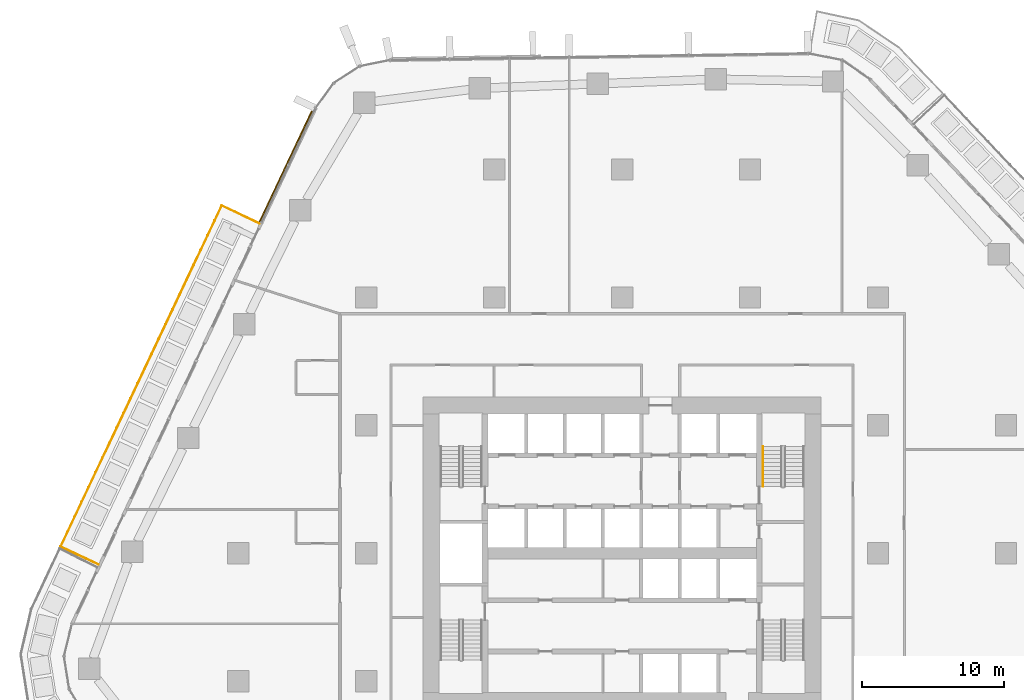
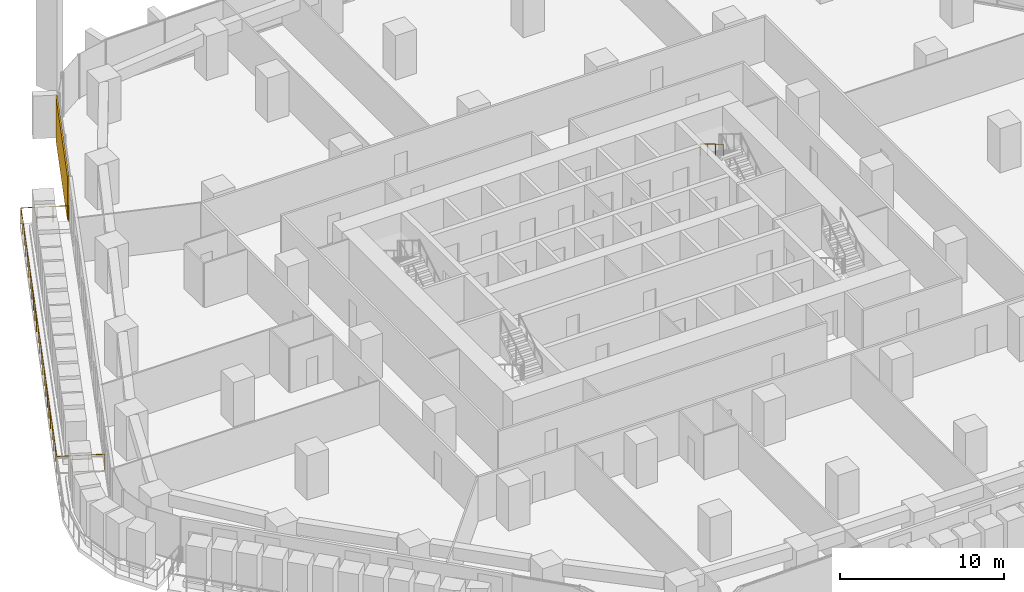
# One storey, part 23 of 25: 2 railings, 1 covering, 1 element without a shape of its own.
"""IFC4 building model written with IfcOpenShell, lengths in metres."""

from ifc_helpers import new_model, si_unit, direction, frame, origin, origin_2d, place, context, subcontext, project, spatial, rectangle, circle, extrude, material, layer, layer_set, type_object, element, aggregate, save


model = new_model("IFC4")

# Units and contexts
model_context = context("Model", 3, precision=1e-05, world=origin(), true_north=direction((0.0, 1.0)))
body_context = subcontext(model_context, "Body", "Model", "MODEL_VIEW")
ifc_project = project(units=[si_unit("LENGTHUNIT", "METRE"), si_unit("AREAUNIT", "SQUARE_METRE"), si_unit("VOLUMEUNIT", "CUBIC_METRE"), si_unit("PLANEANGLEUNIT", "RADIAN"), si_unit("MASSUNIT", "GRAM", prefix="KILO")], contexts=[model_context])

# Site, building, storey
site_placement = place(None, origin())
site = spatial("IfcSite", under=ifc_project, at=site_placement, CompositionType="ELEMENT")
building_placement = place(site_placement, origin())
building = spatial("IfcBuilding", under=site, at=building_placement, Name="Dongbaek Canopy Tower", CompositionType="ELEMENT")
storey_placement = place(building_placement, frame((0.0, 0.0, 77.300048828125)))
storey = spatial("IfcBuildingStorey", under=building, at=storey_placement, Name="L15", CompositionType="ELEMENT", Elevation=77.300048828125)

# Railing
ifc_material_1 = material(Name="Stainless steel", Category="steel")
railing_type_1 = type_object("IfcRailingType", Name="Balcony balustrade 1200", PredefinedType="BALUSTRADE", material=ifc_material_1)
railing_1_placement = place(storey_placement, frame((-25.505615234375, 23.1962890625, 0.0)))
element("IfcRailing", 1, at=railing_1_placement, inside=storey, type_object=railing_type_1, Name="Balcony guard L15 2", PredefinedType="BALUSTRADE", context=body_context, shape_type="SweptSolid", body=[
    extrude(circle(Radius=0.02392578125, at=origin_2d()), frame((0.0, 0.0, 1.17578125), z_axis=(-0.904170251662, 0.427172279073, 0.0), x_axis=(-0.427172279073, -0.904170251662, 0.0)), (0.0, 0.0, 1.0), 2.93994140625),
    extrude(circle(Radius=0.02392578125, at=origin_2d()), frame((-2.658203125, 1.255859375, 1.17578125), z_axis=(-0.427154080791, -0.904178849157, 0.0), x_axis=(0.904178849157, -0.427154080791, 0.0)), (0.0, 0.0, 1.0), 26.528564453125),
    extrude(circle(Radius=0.02392578125, at=origin_2d()), frame((-13.989990234375, -22.730712890625, 1.17578125), z_axis=(0.904170251662, -0.427172279073, 0.0), x_axis=(0.427172279073, 0.904170251662, 0.0)), (0.0, 0.0, 1.0), 2.93994140625),
    extrude(circle(Radius=0.02099609375, at=origin_2d()), origin(), (0.0, 0.0, 1.0), 1.15185546875),
    extrude(circle(Radius=0.02099609375, at=origin_2d()), frame((-0.885986328125, 0.418701171875, 0.0)), (0.0, 0.0, 1.0), 1.15185546875),
    extrude(circle(Radius=0.02099609375, at=origin_2d()), frame((-1.772216796875, 0.837158203125, 0.0)), (0.0, 0.0, 1.0), 1.15185546875),
    extrude(circle(Radius=0.02099609375, at=origin_2d()), frame((-2.658203125, 1.255859375, 0.0)), (0.0, 0.0, 1.0), 1.15185546875),
    extrude(circle(Radius=0.02099609375, at=origin_2d()), frame((-3.15087890625, 0.212890625, 0.0)), (0.0, 0.0, 1.0), 1.15185546875),
    extrude(circle(Radius=0.02099609375, at=origin_2d()), frame((-3.6435546875, -0.829833984375, 0.0)), (0.0, 0.0, 1.0), 1.15185546875),
    extrude(circle(Radius=0.02099609375, at=origin_2d()), frame((-4.13623046875, -1.872802734375, 0.0)), (0.0, 0.0, 1.0), 1.15185546875),
    extrude(circle(Radius=0.02099609375, at=origin_2d()), frame((-4.62890625, -2.915771484375, 0.0)), (0.0, 0.0, 1.0), 1.15185546875),
    extrude(circle(Radius=0.02099609375, at=origin_2d()), frame((-5.12158203125, -3.95849609375, 0.0)), (0.0, 0.0, 1.0), 1.15185546875),
    extrude(circle(Radius=0.02099609375, at=origin_2d()), frame((-5.6142578125, -5.00146484375, 0.0)), (0.0, 0.0, 1.0), 1.15185546875),
    extrude(circle(Radius=0.02099609375, at=origin_2d()), frame((-6.10693359375, -6.04443359375, 0.0)), (0.0, 0.0, 1.0), 1.15185546875),
    extrude(circle(Radius=0.02099609375, at=origin_2d()), frame((-6.599609375, -7.08740234375, 0.0)), (0.0, 0.0, 1.0), 1.15185546875),
    extrude(circle(Radius=0.02099609375, at=origin_2d()), frame((-7.09228515625, -8.130126953125, 0.0)), (0.0, 0.0, 1.0), 1.15185546875),
    extrude(circle(Radius=0.02099609375, at=origin_2d()), frame((-7.5849609375, -9.173095703125, 0.0)), (0.0, 0.0, 1.0), 1.15185546875),
    extrude(circle(Radius=0.02099609375, at=origin_2d()), frame((-8.07763671875, -10.216064453125, 0.0)), (0.0, 0.0, 1.0), 1.15185546875),
    extrude(circle(Radius=0.02099609375, at=origin_2d()), frame((-8.570556640625, -11.2587890625, 0.0)), (0.0, 0.0, 1.0), 1.15185546875),
    extrude(circle(Radius=0.02099609375, at=origin_2d()), frame((-9.063232421875, -12.3017578125, 0.0)), (0.0, 0.0, 1.0), 1.15185546875),
    extrude(circle(Radius=0.02099609375, at=origin_2d()), frame((-9.555908203125, -13.3447265625, 0.0)), (0.0, 0.0, 1.0), 1.15185546875),
    extrude(circle(Radius=0.02099609375, at=origin_2d()), frame((-10.048583984375, -14.387451171875, 0.0)), (0.0, 0.0, 1.0), 1.15185546875),
    extrude(circle(Radius=0.02099609375, at=origin_2d()), frame((-10.541259765625, -15.430419921875, 0.0)), (0.0, 0.0, 1.0), 1.15185546875),
    extrude(circle(Radius=0.02099609375, at=origin_2d()), frame((-11.033935546875, -16.473388671875, 0.0)), (0.0, 0.0, 1.0), 1.15185546875),
    extrude(circle(Radius=0.02099609375, at=origin_2d()), frame((-11.526611328125, -17.516357421875, 0.0)), (0.0, 0.0, 1.0), 1.15185546875),
    extrude(circle(Radius=0.02099609375, at=origin_2d()), frame((-12.019287109375, -18.55908203125, 0.0)), (0.0, 0.0, 1.0), 1.15185546875),
    extrude(circle(Radius=0.02099609375, at=origin_2d()), frame((-12.511962890625, -19.60205078125, 0.0)), (0.0, 0.0, 1.0), 1.15185546875),
    extrude(circle(Radius=0.02099609375, at=origin_2d()), frame((-13.004638671875, -20.64501953125, 0.0)), (0.0, 0.0, 1.0), 1.15185546875),
    extrude(circle(Radius=0.02099609375, at=origin_2d()), frame((-13.497314453125, -21.687744140625, 0.0)), (0.0, 0.0, 1.0), 1.15185546875),
    extrude(circle(Radius=0.02099609375, at=origin_2d()), frame((-13.989990234375, -22.730712890625, 0.0)), (0.0, 0.0, 1.0), 1.15185546875),
    extrude(circle(Radius=0.02099609375, at=origin_2d()), frame((-13.10400390625, -23.1494140625, 0.0)), (0.0, 0.0, 1.0), 1.15185546875),
    extrude(circle(Radius=0.02099609375, at=origin_2d()), frame((-12.2177734375, -23.56787109375, 0.0)), (0.0, 0.0, 1.0), 1.15185546875),
    extrude(circle(Radius=0.02099609375, at=origin_2d()), frame((-11.331787109375, -23.986572265625, 0.0)), (0.0, 0.0, 1.0), 1.15185546875),
])

# Curtain wall, covering
ifc_material_2 = material(Name="Aluminium 6063-T6 pale anodised", Category="aluminium")
ifc_layer_1 = layer(ifc_material_2, 0.199951171875)
ifc_layer_set_1 = layer_set([ifc_layer_1], Name="CW-1 unitised tower curtain wall")
curtain_wall_type = type_object("IfcCurtainWallType", Name="CW-1 unitised tower curtain wall", PredefinedType="NOTDEFINED", material=ifc_layer_set_1)
curtain_wall_placement = place(storey_placement, origin())
curtain_wall = element("IfcCurtainWall", 2, at=curtain_wall_placement, inside=storey, type_object=curtain_wall_type, Name="CW-1 curtain wall F2.1", PredefinedType="NOTDEFINED")
ifc_material_3 = material(Name="Perforated aluminium 6063-T6 pale metal screen", Category="aluminium")
ifc_layer_2 = layer(ifc_material_3, 0.10009765625)
ifc_layer_set_2 = layer_set([ifc_layer_2], Name="Facet screen FS1 100 pale metal")
covering_type = type_object("IfcCoveringType", Name="Facet screen FS1 100 pale metal", PredefinedType="CLADDING", material=ifc_layer_set_2)
covering_placement = place(storey_placement, frame((-23.65966796875, 27.211181640625, 0.0), z_axis=(0.0, 0.0, 1.0), x_axis=(-0.427157456832, -0.904177254233, 0.0)))
covering = element("IfcCovering", 3, at=covering_placement, type_object=covering_type, Name="Facet screen L15 F2", PredefinedType="CLADDING", context=body_context, shape_type="SweptSolid", body=[
    extrude(rectangle(XDim=8.616943359375, YDim=0.10009765625, at=origin_2d()), origin(), (0.0, 0.0, 1.0), 3.300048828125),
])
aggregate(curtain_wall, [covering])

# Railing
ifc_material_4 = material(Name="Stainless steel tube", Category="steel")
railing_type_2 = type_object("IfcRailingType", Name="Stair handrail 900", PredefinedType="HANDRAIL", material=ifc_material_4)
railing_2_placement = place(storey_placement, frame((9.89990234375, 7.5, 2.01806640625)))
element("IfcRailing", 4, at=railing_2_placement, inside=storey, type_object=railing_type_2, Name="L15 ST-A stair handrail 2", PredefinedType="HANDRAIL", context=body_context, shape_type="SweptSolid", body=[
    extrude(circle(Radius=0.02392578125, at=origin_2d()), frame((0.0, 0.0, 0.8759765625), z_axis=(0.0, -0.857242210791, 0.514913383045), x_axis=(1.0, 0.0, 0.0)), (0.0, 0.0, 1.0), 3.266357421875),
    extrude(circle(Radius=0.02099609375, at=origin_2d()), origin(), (0.0, 0.0, 1.0), 0.851806640625),
    extrude(circle(Radius=0.02099609375, at=origin_2d()), frame((0.0, -0.933349609375, 0.560546875)), (0.0, 0.0, 1.0), 0.851806640625),
    extrude(circle(Radius=0.02099609375, at=origin_2d()), frame((0.0, -1.86669921875, 1.121337890625)), (0.0, 0.0, 1.0), 0.851806640625),
    extrude(circle(Radius=0.02099609375, at=origin_2d()), frame((0.0, -2.800048828125, 1.681884765625)), (0.0, 0.0, 1.0), 0.851806640625),
])

save(model, "model.ifc")
